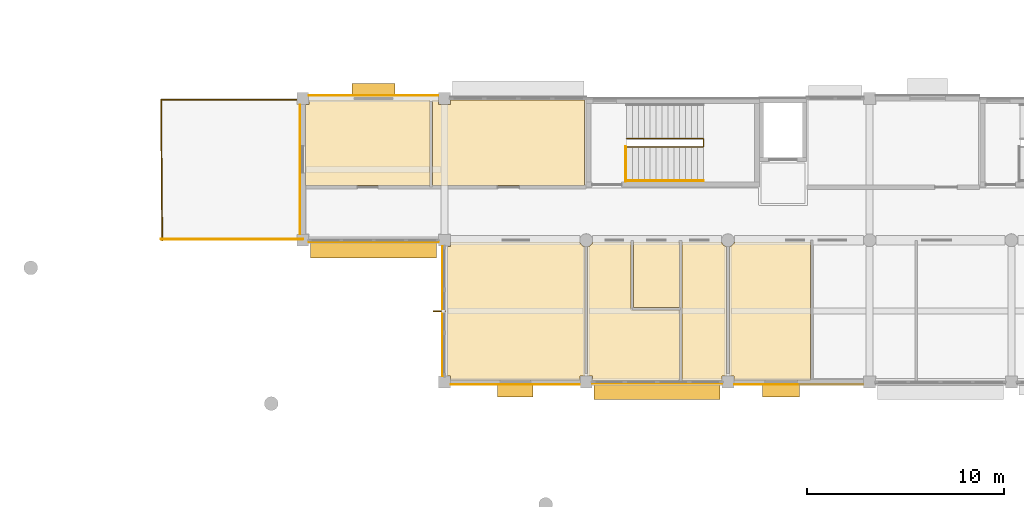
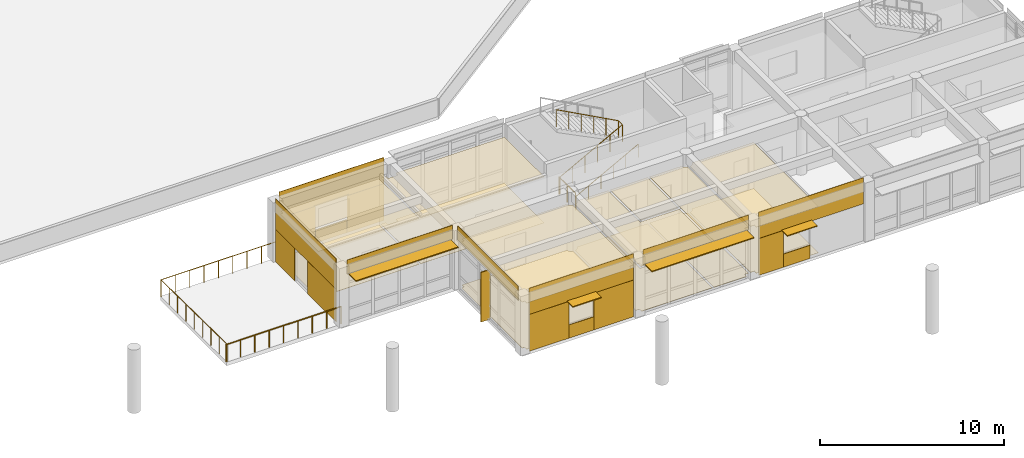
# One storey, part 37 of 55: 31 coverings, 6 shading devices, 5 railings.
"""IFC4 building model written with IfcOpenShell, lengths in metres."""

from ifc_helpers import new_model, si_unit, direction, frame, origin, origin_2d, place, context, subcontext, project, spatial, polyline, rectangle, circle, outline, extrude, material, layer, layer_set, type_object, element, save


model = new_model("IFC4")

# Units and contexts
model_context = context("Model", 3, precision=1e-05, world=origin(), true_north=direction((0.0, 1.0)))
body_context = subcontext(model_context, "Body", "Model", "MODEL_VIEW")
ifc_project = project(units=[si_unit("LENGTHUNIT", "METRE"), si_unit("AREAUNIT", "SQUARE_METRE"), si_unit("VOLUMEUNIT", "CUBIC_METRE"), si_unit("PLANEANGLEUNIT", "RADIAN"), si_unit("MASSUNIT", "GRAM", prefix="KILO")], contexts=[model_context])

# Site, building, storey
site_placement = place(None, origin())
site = spatial("IfcSite", under=ifc_project, at=site_placement, CompositionType="ELEMENT")
building_placement = place(site_placement, origin())
building = spatial("IfcBuilding", under=site, at=building_placement, Name="Namkhue Oval Health Centre", CompositionType="ELEMENT")
storey_placement = place(building_placement, frame((0.0, 0.0, 9.60009765625)))
storey = spatial("IfcBuildingStorey", under=building, at=storey_placement, Name="L02", CompositionType="ELEMENT", Elevation=9.60009765625)

# Coverings
ifc_material_1 = material(Name="Acoustic mineral-fibre cleanroom ceiling", Category="gypsum")
ifc_layer_1 = layer(ifc_material_1, 0.02001953125)
ifc_layer_set_1 = layer_set([ifc_layer_1], Name="Acoustic mineral-fibre cleanroom ceiling")
covering_type_1 = type_object("IfcCoveringType", Name="ACOUSTIC CLEANROOM CEILING 20", PredefinedType="CEILING", material=ifc_layer_set_1)
covering_1_placement = place(storey_placement, frame((0.0, 0.0, 3.0498046875)))
element("IfcCovering", 1, at=covering_1_placement, inside=storey, type_object=covering_type_1, Name="Acoustic Ceiling L02-401 Surgical Scrub Preparation", PredefinedType="CEILING", context=body_context, shape_type="SweptSolid", body=[
    extrude(outline(polyline([(50.7099609375, 14.485107421875), (50.7099609375, 14.7099609375), (50.554931640625, 14.7099609375), (50.554931640625, 21.2900390625), (50.7099609375, 21.2900390625), (50.7099609375, 21.52001953125), (57.275390625, 21.52001953125), (57.309814453125, 21.4326171875), (57.363037109375, 21.363037109375), (57.4326171875, 21.309814453125), (57.51318359375, 21.2763671875), (57.530029296875, 21.274169921875), (57.530029296875, 14.7099609375), (57.2900390625, 14.7099609375), (57.2900390625, 14.485107421875), (50.7099609375, 14.485107421875)])), origin(), (0.0, 0.0, 1.0), 0.02001953125),
])
covering_2_placement = place(storey_placement, frame((0.0, 0.0, 3.0498046875)))
element("IfcCovering", 2, at=covering_2_placement, inside=storey, type_object=covering_type_1, Name="Acoustic Ceiling L02-402 Sterile Theatre Pack Utility", PredefinedType="CEILING", context=body_context, shape_type="SweptSolid", body=[
    extrude(outline(polyline([(59.8798828125, 21.52001953125), (59.8798828125, 18.06005859375), (62.340087890625, 18.06005859375), (62.340087890625, 14.485107421875), (57.909912109375, 14.485107421875), (57.909912109375, 14.7099609375), (57.669921875, 14.7099609375), (57.669921875, 21.274169921875), (57.686767578125, 21.2763671875), (57.767578125, 21.309814453125), (57.8369140625, 21.363037109375), (57.89013671875, 21.4326171875), (57.924560546875, 21.52001953125), (59.8798828125, 21.52001953125)])), origin(), (0.0, 0.0, 1.0), 0.02001953125),
])
covering_3_placement = place(storey_placement, frame((0.0, 0.0, 3.0498046875)))
element("IfcCovering", 3, at=covering_3_placement, inside=storey, type_object=covering_type_1, Name="Acoustic Ceiling L02-403 Accessible WC", PredefinedType="CEILING", context=body_context, shape_type="SweptSolid", body=[
    extrude(outline(polyline([(60.0, 18.179931640625), (60.0, 21.52001953125), (62.340087890625, 21.52001953125), (62.340087890625, 18.179931640625), (60.0, 18.179931640625)])), origin(), (0.0, 0.0, 1.0), 0.02001953125),
])
covering_4_placement = place(storey_placement, frame((0.0, 0.0, 3.0498046875)))
element("IfcCovering", 4, at=covering_4_placement, inside=storey, type_object=covering_type_1, Name="Acoustic Ceiling L02-404 Surgical Staff Washroom", PredefinedType="CEILING", context=body_context, shape_type="SweptSolid", body=[
    extrude(outline(polyline([(62.4599609375, 14.485107421875), (62.4599609375, 21.52001953125), (64.4755859375, 21.52001953125), (64.510009765625, 21.4326171875), (64.56298828125, 21.363037109375), (64.632568359375, 21.309814453125), (64.71337890625, 21.2763671875), (64.72998046875, 21.274169921875), (64.72998046875, 14.7099609375), (64.489990234375, 14.7099609375), (64.489990234375, 14.485107421875), (62.4599609375, 14.485107421875)])), origin(), (0.0, 0.0, 1.0), 0.02001953125),
])
covering_5_placement = place(storey_placement, frame((0.0, 0.0, 3.0498046875)))
element("IfcCovering", 5, at=covering_5_placement, inside=storey, type_object=covering_type_1, Name="Acoustic Ceiling L02-405 Central Sterile Supply CSSD", PredefinedType="CEILING", context=body_context, shape_type="SweptSolid", body=[
    extrude(outline(polyline([(65.110107421875, 14.485107421875), (65.110107421875, 14.7099609375), (64.8701171875, 14.7099609375), (64.8701171875, 21.274169921875), (64.88671875, 21.2763671875), (64.967529296875, 21.309814453125), (65.036865234375, 21.363037109375), (65.090087890625, 21.4326171875), (65.12451171875, 21.52001953125), (68.9951171875, 21.52001953125), (68.9951171875, 14.485107421875), (65.110107421875, 14.485107421875)])), origin(), (0.0, 0.0, 1.0), 0.02001953125),
])
covering_6_placement = place(storey_placement, frame((0.0, 0.0, 3.0498046875)))
element("IfcCovering", 6, at=covering_6_placement, inside=storey, type_object=covering_type_1, Name="Acoustic Ceiling L02-409 South West Terrace Staff Lounge", PredefinedType="CEILING", context=body_context, shape_type="SweptSolid", body=[
    extrude(outline(polyline([(43.344970703125, 24.3798828125), (43.344970703125, 28.489990234375), (43.510009765625, 28.489990234375), (43.510009765625, 28.715087890625), (49.659912109375, 28.715087890625), (49.659912109375, 24.3798828125), (43.344970703125, 24.3798828125)])), origin(), (0.0, 0.0, 1.0), 0.02001953125),
])
covering_7_placement = place(storey_placement, frame((0.0, 0.0, 3.0498046875)))
element("IfcCovering", 7, at=covering_7_placement, inside=storey, type_object=covering_type_1, Name="Acoustic Ceiling L02-410 Pre Anaesthesia Assessment Clinic", PredefinedType="CEILING", context=body_context, shape_type="SweptSolid", body=[
    extrude(outline(polyline([(49.780029296875, 24.3798828125), (49.780029296875, 28.715087890625), (50.090087890625, 28.715087890625), (50.090087890625, 28.489990234375), (50.7099609375, 28.489990234375), (50.7099609375, 28.715087890625), (57.52001953125, 28.715087890625), (57.52001953125, 24.3798828125), (49.780029296875, 24.3798828125)])), origin(), (0.0, 0.0, 1.0), 0.02001953125),
])
ifc_material_2 = material(Name="Homogeneous anti-bacterial clinical vinyl flooring", Category="plastic")
ifc_layer_2 = layer(ifc_material_2, 0.014892578125)
ifc_layer_set_2 = layer_set([ifc_layer_2], Name="Homogeneous anti-bacterial clinical vinyl flooring")
covering_type_2 = type_object("IfcCoveringType", Name="CLINICAL ANTIBACTERIAL VINYL FLOORING 15", PredefinedType="FLOORING", material=ifc_layer_set_2)
covering_8_placement = place(storey_placement, origin())
element("IfcCovering", 8, at=covering_8_placement, inside=storey, type_object=covering_type_2, Name="Clinical Flooring L02-401 Surgical Scrub Preparation", PredefinedType="FLOORING", context=body_context, shape_type="SweptSolid", body=[
    extrude(outline(polyline([(50.7099609375, 14.485107421875), (50.7099609375, 14.7099609375), (50.554931640625, 14.7099609375), (50.554931640625, 21.2900390625), (50.7099609375, 21.2900390625), (50.7099609375, 21.52001953125), (57.275390625, 21.52001953125), (57.309814453125, 21.4326171875), (57.363037109375, 21.363037109375), (57.4326171875, 21.309814453125), (57.51318359375, 21.2763671875), (57.530029296875, 21.274169921875), (57.530029296875, 14.7099609375), (57.2900390625, 14.7099609375), (57.2900390625, 14.485107421875), (50.7099609375, 14.485107421875)])), origin(), (0.0, 0.0, 1.0), 0.014892578125),
])
covering_9_placement = place(storey_placement, origin())
element("IfcCovering", 9, at=covering_9_placement, inside=storey, type_object=covering_type_2, Name="Clinical Flooring L02-402 Sterile Theatre Pack Utility", PredefinedType="FLOORING", context=body_context, shape_type="SweptSolid", body=[
    extrude(outline(polyline([(59.8798828125, 21.52001953125), (59.8798828125, 18.06005859375), (62.340087890625, 18.06005859375), (62.340087890625, 14.485107421875), (57.909912109375, 14.485107421875), (57.909912109375, 14.7099609375), (57.669921875, 14.7099609375), (57.669921875, 21.274169921875), (57.686767578125, 21.2763671875), (57.767578125, 21.309814453125), (57.8369140625, 21.363037109375), (57.89013671875, 21.4326171875), (57.924560546875, 21.52001953125), (59.8798828125, 21.52001953125)])), origin(), (0.0, 0.0, 1.0), 0.014892578125),
])
covering_10_placement = place(storey_placement, origin())
element("IfcCovering", 10, at=covering_10_placement, inside=storey, type_object=covering_type_2, Name="Clinical Flooring L02-403 Accessible WC", PredefinedType="FLOORING", context=body_context, shape_type="SweptSolid", body=[
    extrude(outline(polyline([(60.0, 18.179931640625), (60.0, 21.52001953125), (62.340087890625, 21.52001953125), (62.340087890625, 18.179931640625), (60.0, 18.179931640625)])), origin(), (0.0, 0.0, 1.0), 0.014892578125),
])
covering_11_placement = place(storey_placement, origin())
element("IfcCovering", 11, at=covering_11_placement, inside=storey, type_object=covering_type_2, Name="Clinical Flooring L02-404 Surgical Staff Washroom", PredefinedType="FLOORING", context=body_context, shape_type="SweptSolid", body=[
    extrude(outline(polyline([(62.4599609375, 14.485107421875), (62.4599609375, 21.52001953125), (64.4755859375, 21.52001953125), (64.510009765625, 21.4326171875), (64.56298828125, 21.363037109375), (64.632568359375, 21.309814453125), (64.71337890625, 21.2763671875), (64.72998046875, 21.274169921875), (64.72998046875, 14.7099609375), (64.489990234375, 14.7099609375), (64.489990234375, 14.485107421875), (62.4599609375, 14.485107421875)])), origin(), (0.0, 0.0, 1.0), 0.014892578125),
])
covering_12_placement = place(storey_placement, origin())
element("IfcCovering", 12, at=covering_12_placement, inside=storey, type_object=covering_type_2, Name="Clinical Flooring L02-405 Central Sterile Supply CSSD", PredefinedType="FLOORING", context=body_context, shape_type="SweptSolid", body=[
    extrude(outline(polyline([(65.110107421875, 14.485107421875), (65.110107421875, 14.7099609375), (64.8701171875, 14.7099609375), (64.8701171875, 21.274169921875), (64.88671875, 21.2763671875), (64.967529296875, 21.309814453125), (65.036865234375, 21.363037109375), (65.090087890625, 21.4326171875), (65.12451171875, 21.52001953125), (68.9951171875, 21.52001953125), (68.9951171875, 14.485107421875), (65.110107421875, 14.485107421875)])), origin(), (0.0, 0.0, 1.0), 0.014892578125),
])
covering_13_placement = place(storey_placement, origin())
element("IfcCovering", 13, at=covering_13_placement, inside=storey, type_object=covering_type_2, Name="Clinical Flooring L02-409 South West Terrace Staff Lounge", PredefinedType="FLOORING", context=body_context, shape_type="SweptSolid", body=[
    extrude(outline(polyline([(43.344970703125, 24.3798828125), (43.344970703125, 28.489990234375), (43.510009765625, 28.489990234375), (43.510009765625, 28.715087890625), (49.659912109375, 28.715087890625), (49.659912109375, 24.3798828125), (43.344970703125, 24.3798828125)])), origin(), (0.0, 0.0, 1.0), 0.014892578125),
])
covering_14_placement = place(storey_placement, origin())
element("IfcCovering", 14, at=covering_14_placement, inside=storey, type_object=covering_type_2, Name="Clinical Flooring L02-410 Pre Anaesthesia Assessment Clinic", PredefinedType="FLOORING", context=body_context, shape_type="SweptSolid", body=[
    extrude(outline(polyline([(49.780029296875, 24.3798828125), (49.780029296875, 28.715087890625), (50.090087890625, 28.715087890625), (50.090087890625, 28.489990234375), (50.7099609375, 28.489990234375), (50.7099609375, 28.715087890625), (57.52001953125, 28.715087890625), (57.52001953125, 24.3798828125), (49.780029296875, 24.3798828125)])), origin(), (0.0, 0.0, 1.0), 0.014892578125),
])

# Railings
ifc_material_3 = material(Name="Brushed stainless steel 316L balustrade with laminated glass infill", Category="steel")
railing_type_1 = type_object("IfcRailingType", Name="EXTERIOR BALUSTRADE GUARD 1150", PredefinedType="BALUSTRADE", material=ifc_material_3)
railing_1_placement = place(storey_placement, frame((36.0, 21.659912109375, 0.0)))
element("IfcRailing", 15, at=railing_1_placement, inside=storey, type_object=railing_type_1, Name="Volume V4 L02 Terrace Balustrade Guard 1", PredefinedType="BALUSTRADE", context=body_context, shape_type="SweptSolid", body=[
    extrude(circle(Radius=0.02392578125, at=origin_2d()), frame((0.0, 0.0, 1.1259765625), z_axis=(1.0, 0.0, 0.0), x_axis=(0.0, 1.0, 0.0)), (0.0, 0.0, 1.0), 7.199951171875),
    extrude(circle(Radius=0.02099609375, at=origin_2d()), origin(), (0.0, 0.0, 1.0), 1.101806640625),
    extrude(circle(Radius=0.02099609375, at=origin_2d()), frame((0.89990234375, 0.0, 0.0)), (0.0, 0.0, 1.0), 1.101806640625),
    extrude(circle(Radius=0.02099609375, at=origin_2d()), frame((1.800048828125, 0.0, 0.0)), (0.0, 0.0, 1.0), 1.101806640625),
    extrude(circle(Radius=0.02099609375, at=origin_2d()), frame((2.699951171875, 0.0, 0.0)), (0.0, 0.0, 1.0), 1.101806640625),
    extrude(circle(Radius=0.02099609375, at=origin_2d()), frame((3.60009765625, 0.0, 0.0)), (0.0, 0.0, 1.0), 1.101806640625),
    extrude(circle(Radius=0.02099609375, at=origin_2d()), frame((4.5, 0.0, 0.0)), (0.0, 0.0, 1.0), 1.101806640625),
    extrude(circle(Radius=0.02099609375, at=origin_2d()), frame((5.39990234375, 0.0, 0.0)), (0.0, 0.0, 1.0), 1.101806640625),
    extrude(circle(Radius=0.02099609375, at=origin_2d()), frame((6.300048828125, 0.0, 0.0)), (0.0, 0.0, 1.0), 1.101806640625),
    extrude(circle(Radius=0.02099609375, at=origin_2d()), frame((7.199951171875, 0.0, 0.0)), (0.0, 0.0, 1.0), 1.101806640625),
])
railing_2_placement = place(storey_placement, frame((43.199951171875, 28.739990234375, 0.0)))
element("IfcRailing", 16, at=railing_2_placement, inside=storey, type_object=railing_type_1, Name="Volume V4 L02 Terrace Balustrade Guard 2", PredefinedType="BALUSTRADE", context=body_context, shape_type="SweptSolid", body=[
    extrude(circle(Radius=0.02392578125, at=origin_2d()), frame((0.0, 0.0, 1.1259765625), z_axis=(-1.0, 0.0, 0.0), x_axis=(0.0, -1.0, 0.0)), (0.0, 0.0, 1.0), 7.199951171875),
    extrude(circle(Radius=0.02392578125, at=origin_2d()), frame((-7.199951171875, 0.0, 1.1259765625), z_axis=(0.008411396731, -0.999964623577, 0.0), x_axis=(0.999964623577, 0.008411396731, 0.0)), (0.0, 0.0, 1.0), 7.14013671875),
    extrude(circle(Radius=0.02099609375, at=origin_2d()), origin(), (0.0, 0.0, 1.0), 1.101806640625),
    extrude(circle(Radius=0.02099609375, at=origin_2d()), frame((-0.89990234375, 0.0, 0.0)), (0.0, 0.0, 1.0), 1.101806640625),
    extrude(circle(Radius=0.02099609375, at=origin_2d()), frame((-1.800048828125, 0.0, 0.0)), (0.0, 0.0, 1.0), 1.101806640625),
    extrude(circle(Radius=0.02099609375, at=origin_2d()), frame((-2.699951171875, 0.0, 0.0)), (0.0, 0.0, 1.0), 1.101806640625),
    extrude(circle(Radius=0.02099609375, at=origin_2d()), frame((-3.60009765625, 0.0, 0.0)), (0.0, 0.0, 1.0), 1.101806640625),
    extrude(circle(Radius=0.02099609375, at=origin_2d()), frame((-4.5, 0.0, 0.0)), (0.0, 0.0, 1.0), 1.101806640625),
    extrude(circle(Radius=0.02099609375, at=origin_2d()), frame((-5.39990234375, 0.0, 0.0)), (0.0, 0.0, 1.0), 1.101806640625),
    extrude(circle(Radius=0.02099609375, at=origin_2d()), frame((-6.300048828125, 0.0, 0.0)), (0.0, 0.0, 1.0), 1.101806640625),
    extrude(circle(Radius=0.02099609375, at=origin_2d()), frame((-7.199951171875, 0.0, 0.0)), (0.0, 0.0, 1.0), 1.101806640625),
    extrude(circle(Radius=0.02099609375, at=origin_2d()), frame((-7.1923828125, -0.892578125, 0.0)), (0.0, 0.0, 1.0), 1.101806640625),
    extrude(circle(Radius=0.02099609375, at=origin_2d()), frame((-7.18505859375, -1.784912109375, 0.0)), (0.0, 0.0, 1.0), 1.101806640625),
    extrude(circle(Radius=0.02099609375, at=origin_2d()), frame((-7.177490234375, -2.677490234375, 0.0)), (0.0, 0.0, 1.0), 1.101806640625),
    extrude(circle(Radius=0.02099609375, at=origin_2d()), frame((-7.169921875, -3.56982421875, 0.0)), (0.0, 0.0, 1.0), 1.101806640625),
    extrude(circle(Radius=0.02099609375, at=origin_2d()), frame((-7.162353515625, -4.46240234375, 0.0)), (0.0, 0.0, 1.0), 1.101806640625),
    extrude(circle(Radius=0.02099609375, at=origin_2d()), frame((-7.15478515625, -5.35498046875, 0.0)), (0.0, 0.0, 1.0), 1.101806640625),
    extrude(circle(Radius=0.02099609375, at=origin_2d()), frame((-7.1474609375, -6.247314453125, 0.0)), (0.0, 0.0, 1.0), 1.101806640625),
    extrude(circle(Radius=0.02099609375, at=origin_2d()), frame((-7.139892578125, -7.139892578125, 0.0)), (0.0, 0.0, 1.0), 1.101806640625),
])
railing_type_2 = type_object("IfcRailingType", Name="INTERIOR BALUSTRADE GUARD 1150", PredefinedType="BALUSTRADE", material=ifc_material_3)
railing_3_placement = place(storey_placement, frame((59.60009765625, 24.590087890625, 0.0)))
element("IfcRailing", 17, at=railing_3_placement, inside=storey, type_object=railing_type_2, Name="Stair ST-07 L02 Landing Well Edge Guard", PredefinedType="BALUSTRADE", context=body_context, shape_type="SweptSolid", body=[
    extrude(circle(Radius=0.02392578125, at=origin_2d()), frame((0.0, 0.0, 1.1259765625), z_axis=(0.0, 1.0, 0.0), x_axis=(-1.0, 0.0, 0.0)), (0.0, 0.0, 1.0), 1.77001953125),
    extrude(circle(Radius=0.02099609375, at=origin_2d()), origin(), (0.0, 0.0, 1.0), 1.101806640625),
    extrude(circle(Radius=0.02099609375, at=origin_2d()), frame((0.0, 0.885009765625, 0.0)), (0.0, 0.0, 1.0), 1.101806640625),
    extrude(circle(Radius=0.02099609375, at=origin_2d()), frame((0.0, 1.77001953125, 0.0)), (0.0, 0.0, 1.0), 1.101806640625),
])
railing_4_placement = place(storey_placement, frame((59.64990234375, 26.340087890625, 0.0)))
element("IfcRailing", 18, at=railing_4_placement, inside=storey, type_object=railing_type_2, Name="Stair ST-07 L02 Inner Well Guard", PredefinedType="BALUSTRADE", context=body_context, shape_type="SweptSolid", body=[
    extrude(circle(Radius=0.02392578125, at=origin_2d()), frame((0.0, 0.0, 1.1259765625), z_axis=(0.88049233674, 0.0, 0.474060381114), x_axis=(0.0, 1.0, 0.0)), (0.0, 0.0, 1.0), 4.429443359375),
    extrude(circle(Radius=0.02392578125, at=origin_2d()), frame((3.900146484375, 0.0, 3.2255859375), z_axis=(0.0, 1.0, 0.0), x_axis=(-1.0, 0.0, 0.0)), (0.0, 0.0, 1.0), 0.419921875),
    extrude(circle(Radius=0.02392578125, at=origin_2d()), frame((3.900146484375, 0.419921875, 3.2255859375), z_axis=(-0.880469330154, 0.0, 0.474103109733), x_axis=(0.0, -1.0, 0.0)), (0.0, 0.0, 1.0), 4.4296875),
    extrude(circle(Radius=0.02099609375, at=origin_2d()), origin(), (0.0, 0.0, 1.0), 1.101806640625),
    extrude(circle(Radius=0.02099609375, at=origin_2d()), frame((0.780029296875, 0.0, 0.419921875)), (0.0, 0.0, 1.0), 1.101806640625),
    extrude(circle(Radius=0.02099609375, at=origin_2d()), frame((1.56005859375, 0.0, 0.83984375)), (0.0, 0.0, 1.0), 1.101806640625),
    extrude(circle(Radius=0.02099609375, at=origin_2d()), frame((2.340087890625, 0.0, 1.260009765625)), (0.0, 0.0, 1.0), 1.101806640625),
    extrude(circle(Radius=0.02099609375, at=origin_2d()), frame((3.1201171875, 0.0, 1.679931640625)), (0.0, 0.0, 1.0), 1.101806640625),
    extrude(circle(Radius=0.02099609375, at=origin_2d()), frame((3.900146484375, 0.0, 2.099853515625)), (0.0, 0.0, 1.0), 1.101806640625),
    extrude(circle(Radius=0.02099609375, at=origin_2d()), frame((3.900146484375, 0.419921875, 2.099853515625)), (0.0, 0.0, 1.0), 1.101806640625),
    extrude(circle(Radius=0.02099609375, at=origin_2d()), frame((3.1201171875, 0.419921875, 2.519775390625)), (0.0, 0.0, 1.0), 1.101806640625),
    extrude(circle(Radius=0.02099609375, at=origin_2d()), frame((2.340087890625, 0.419921875, 2.93994140625)), (0.0, 0.0, 1.0), 1.101806640625),
    extrude(circle(Radius=0.02099609375, at=origin_2d()), frame((1.56005859375, 0.419921875, 3.35986328125)), (0.0, 0.0, 1.0), 1.101806640625),
    extrude(circle(Radius=0.02099609375, at=origin_2d()), frame((0.780029296875, 0.419921875, 3.780029296875)), (0.0, 0.0, 1.0), 1.101806640625),
    extrude(circle(Radius=0.02099609375, at=origin_2d()), frame((0.0, 0.419921875, 4.199951171875)), (0.0, 0.0, 1.0), 1.101806640625),
])
ifc_material_4 = material(Name="Brushed stainless steel 304 tubular handrail", Category="steel")
railing_type_3 = type_object("IfcRailingType", Name="INTERIOR STAIR HANDRAIL 900", PredefinedType="HANDRAIL", material=ifc_material_4)
railing_5_placement = place(storey_placement, frame((59.64990234375, 24.6201171875, 0.0)))
element("IfcRailing", 19, at=railing_5_placement, inside=storey, type_object=railing_type_3, Name="Stair ST-07 L02 Flight 1 Handrail", PredefinedType="HANDRAIL", context=body_context, shape_type="SweptSolid", body=[
    extrude(circle(Radius=0.02392578125, at=origin_2d()), frame((0.0, 0.0, 0.8759765625), z_axis=(0.88049233674, 0.0, 0.474060381114), x_axis=(0.0, 1.0, 0.0)), (0.0, 0.0, 1.0), 4.429443359375),
    extrude(circle(Radius=0.02099609375, at=origin_2d()), origin(), (0.0, 0.0, 1.0), 0.851806640625),
    extrude(circle(Radius=0.02099609375, at=origin_2d()), frame((0.780029296875, 0.0, 0.419921875)), (0.0, 0.0, 1.0), 0.851806640625),
    extrude(circle(Radius=0.02099609375, at=origin_2d()), frame((1.56005859375, 0.0, 0.83984375)), (0.0, 0.0, 1.0), 0.851806640625),
    extrude(circle(Radius=0.02099609375, at=origin_2d()), frame((2.340087890625, 0.0, 1.260009765625)), (0.0, 0.0, 1.0), 0.851806640625),
    extrude(circle(Radius=0.02099609375, at=origin_2d()), frame((3.1201171875, 0.0, 1.679931640625)), (0.0, 0.0, 1.0), 0.851806640625),
    extrude(circle(Radius=0.02099609375, at=origin_2d()), frame((3.900146484375, 0.0, 2.099853515625)), (0.0, 0.0, 1.0), 0.851806640625),
])

# Shading devices
ifc_material_5 = material(Name="Anodised aluminium EN AW-6063 T6", Category="aluminium")
ifc_layer_3 = layer(ifc_material_5, 0.06005859375)
ifc_layer_set_3 = layer_set([ifc_layer_3], Name="Anodised aluminium EN AW-6063 T6")
shading_device_type_1 = type_object("IfcShadingDeviceType", Name="MONSOON SUN LOUVRE 900", PredefinedType="JALOUSIE", material=ifc_layer_set_3)
for number, where, z_axis, x_axis, name in (
    (20, (61.199951171875, 13.949951171875, 3.179931640625), (0.0, 0.0, 1.0), (1.0, 0.0, 0.0), "Volume V4 L02 Horizontal Monsoon Sun Louvre 216"),
    (21, (46.800048828125, 21.14990234375, 3.221923828125), (0.0, 0.0, 1.0), (1.0, 0.0, 0.0), "Volume V4 L02 Horizontal Monsoon Sun Louvre 226"),
):
    element("IfcShadingDevice", number, at=place(storey_placement, frame(where, z_axis=z_axis, x_axis=x_axis)), inside=storey, type_object=shading_device_type_1, Name=name, PredefinedType="JALOUSIE", context=body_context, shape_type="SweptSolid", body=[
        extrude(rectangle(XDim=6.407958984375, YDim=0.89990234375, at=origin_2d()), origin(), (0.0, 0.0, 1.0), 0.06005859375),
    ])
ifc_layer_4 = layer(ifc_material_5, 0.050048828125)
ifc_layer_set_4 = layer_set([ifc_layer_4], Name="Anodised aluminium EN AW-6063 T6")
shading_device_type_2 = type_object("IfcShadingDeviceType", Name="STORM SHUTTER LOUVRE 650", PredefinedType="SHUTTER", material=ifc_layer_set_4)
shading_device_1_placement = place(storey_placement, frame((54.0, 13.965087890625, 2.4599609375), z_axis=(0.0, 0.0, 1.0), x_axis=(1.0, 0.0, 0.0)))
element("IfcShadingDevice", 22, at=shading_device_1_placement, inside=storey, type_object=shading_device_type_2, Name="Volume V4 L02 Window Monsoon Louvre 215", PredefinedType="SHUTTER", context=body_context, shape_type="SweptSolid", body=[
    extrude(rectangle(XDim=1.7900390625, YDim=0.64990234375, at=origin_2d()), origin(), (0.0, 0.0, 1.0), 0.06005859375),
])
shading_device_2_placement = place(storey_placement, frame((67.5, 13.9599609375, 2.4599609375), z_axis=(0.0, 0.0, 1.0), x_axis=(1.0, 0.0, 0.0)))
element("IfcShadingDevice", 23, at=shading_device_2_placement, inside=storey, type_object=shading_device_type_2, Name="Volume V4 L02 Window Monsoon Louvre 217", PredefinedType="SHUTTER", context=body_context, shape_type="SweptSolid", body=[
    extrude(rectangle(XDim=1.889892578125, YDim=0.64990234375, at=origin_2d()), origin(), (0.0, 0.0, 1.0), 0.06005859375),
])
shading_device_3_placement = place(storey_placement, frame((46.800048828125, 29.25, 2.4599609375), z_axis=(0.0, 0.0, 1.0), x_axis=(-1.0, 0.0, 0.0)))
element("IfcShadingDevice", 24, at=shading_device_3_placement, inside=storey, type_object=shading_device_type_2, Name="Volume V4 L02 Window Monsoon Louvre 225", PredefinedType="SHUTTER", context=body_context, shape_type="SweptSolid", body=[
    extrude(rectangle(XDim=2.18994140625, YDim=0.64990234375, at=origin_2d()), origin(), (0.0, 0.0, 1.0), 0.06005859375),
])
shading_device_type_3 = type_object("IfcShadingDeviceType", Name="VERTICAL SOLAR FIN 600", PredefinedType="USERDEFINED", material=ifc_material_5)
shading_device_4_placement = place(storey_placement, frame((50.139892578125, 18.0, 0.0), z_axis=(0.0, 0.0, 1.0), x_axis=(-1.0, 0.0, 0.0)))
element("IfcShadingDevice", 25, at=shading_device_4_placement, inside=storey, type_object=shading_device_type_3, Name="Volume V4 L02 Extruded Aluminium Solar Fin 227", ObjectType="SOLAR FIN", PredefinedType="USERDEFINED", context=body_context, shape_type="SweptSolid", body=[
    extrude(rectangle(XDim=0.60009765625, YDim=0.06005859375, at=origin_2d()), origin(), (0.0, 0.0, 1.0), 3.2919921875),
])

# Coverings
ifc_material_6 = material(Name="White glass-fibre reinforced concrete GRC rainscreen cladding", Category="concrete")
ifc_layer_5 = layer(ifc_material_6, 0.02490234375)
ifc_layer_set_5 = layer_set([ifc_layer_5], Name="White glass-fibre reinforced concrete GRC rainscreen cladding")
covering_type_3 = type_object("IfcCoveringType", Name="WHITE GRC RAINSCREEN CLADDING 25", PredefinedType="CLADDING", material=ifc_layer_set_5)
covering_15_placement = place(storey_placement, frame((54.0, 14.26806640625, 2.455078125), z_axis=(0.0, 0.0, 1.0), x_axis=(1.0, 0.0, 0.0)))
element("IfcCovering", 26, at=covering_15_placement, inside=storey, type_object=covering_type_3, Name="Volume V4 L02 Facade 103 White GRC Cladding 1", PredefinedType="CLADDING", context=body_context, shape_type="SweptSolid", body=[
    extrude(rectangle(XDim=6.568115234375, YDim=0.02490234375, at=origin_2d()), origin(), (0.0, 0.0, 1.0), 1.735107421875),
])
covering_16_placement = place(storey_placement, frame((51.962890625, 14.26806640625, 0.010009765625), z_axis=(0.0, 0.0, 1.0), x_axis=(1.0, 0.0, 0.0)))
element("IfcCovering", 27, at=covering_16_placement, inside=storey, type_object=covering_type_3, Name="Volume V4 L02 Facade 103 White GRC Cladding 2", PredefinedType="CLADDING", context=body_context, shape_type="SweptSolid", body=[
    extrude(rectangle(XDim=2.493896484375, YDim=0.02490234375, at=origin_2d()), origin(), (0.0, 0.0, 1.0), 2.43994140625),
])
covering_17_placement = place(storey_placement, frame((54.0, 14.26806640625, 0.010009765625), z_axis=(0.0, 0.0, 1.0), x_axis=(1.0, 0.0, 0.0)))
element("IfcCovering", 28, at=covering_17_placement, inside=storey, type_object=covering_type_3, Name="Volume V4 L02 Facade 103 White GRC Cladding 3", PredefinedType="CLADDING", context=body_context, shape_type="SweptSolid", body=[
    extrude(rectangle(XDim=1.570068359375, YDim=0.02490234375, at=origin_2d()), origin(), (0.0, 0.0, 1.0), 0.875),
])
covering_18_placement = place(storey_placement, frame((56.037109375, 14.26806640625, 0.010009765625), z_axis=(0.0, 0.0, 1.0), x_axis=(1.0, 0.0, 0.0)))
element("IfcCovering", 29, at=covering_18_placement, inside=storey, type_object=covering_type_3, Name="Volume V4 L02 Facade 103 White GRC Cladding 4", PredefinedType="CLADDING", context=body_context, shape_type="SweptSolid", body=[
    extrude(rectangle(XDim=2.493896484375, YDim=0.02490234375, at=origin_2d()), origin(), (0.0, 0.0, 1.0), 2.43994140625),
])
covering_19_placement = place(storey_placement, frame((61.199951171875, 14.3115234375, 3.23486328125), z_axis=(0.0, 0.0, 1.0), x_axis=(1.0, 0.0, 0.0)))
element("IfcCovering", 30, at=covering_19_placement, inside=storey, type_object=covering_type_3, Name="Volume V4 L02 Curtain Wall Spandrel Cladding 160", PredefinedType="CLADDING", context=body_context, shape_type="SweptSolid", body=[
    extrude(rectangle(XDim=6.597900390625, YDim=0.02490234375, at=origin_2d()), origin(), (0.0, 0.0, 1.0), 0.965087890625),
])
covering_20_placement = place(storey_placement, frame((68.39990234375, 14.262939453125, 2.455078125), z_axis=(0.0, 0.0, 1.0), x_axis=(1.0, 0.0, 0.0)))
element("IfcCovering", 31, at=covering_20_placement, inside=storey, type_object=covering_type_3, Name="Volume V4 L02 Facade 104 White GRC Cladding 1", PredefinedType="CLADDING", context=body_context, shape_type="SweptSolid", body=[
    extrude(rectangle(XDim=6.568115234375, YDim=0.02490234375, at=origin_2d()), origin(), (0.0, 0.0, 1.0), 1.735107421875),
])
covering_21_placement = place(storey_placement, frame((65.887939453125, 14.262939453125, 0.010009765625), z_axis=(0.0, 0.0, 1.0), x_axis=(1.0, 0.0, 0.0)))
element("IfcCovering", 32, at=covering_21_placement, inside=storey, type_object=covering_type_3, Name="Volume V4 L02 Facade 104 White GRC Cladding 2", PredefinedType="CLADDING", context=body_context, shape_type="SweptSolid", body=[
    extrude(rectangle(XDim=1.5439453125, YDim=0.02490234375, at=origin_2d()), origin(), (0.0, 0.0, 1.0), 2.43994140625),
])
covering_22_placement = place(storey_placement, frame((67.5, 14.262939453125, 0.010009765625), z_axis=(0.0, 0.0, 1.0), x_axis=(1.0, 0.0, 0.0)))
element("IfcCovering", 33, at=covering_22_placement, inside=storey, type_object=covering_type_3, Name="Volume V4 L02 Facade 104 White GRC Cladding 3", PredefinedType="CLADDING", context=body_context, shape_type="SweptSolid", body=[
    extrude(rectangle(XDim=1.669921875, YDim=0.02490234375, at=origin_2d()), origin(), (0.0, 0.0, 1.0), 0.875),
])
covering_23_placement = place(storey_placement, frame((46.800048828125, 28.947021484375, 2.455078125), z_axis=(0.0, 0.0, 1.0), x_axis=(-1.0, 0.0, 0.0)))
element("IfcCovering", 34, at=covering_23_placement, inside=storey, type_object=covering_type_3, Name="Volume V4 L02 Facade 106 White GRC Cladding 1", PredefinedType="CLADDING", context=body_context, shape_type="SweptSolid", body=[
    extrude(rectangle(XDim=6.568115234375, YDim=0.02490234375, at=origin_2d()), origin(), (0.0, 0.0, 1.0), 1.735107421875),
])
covering_24_placement = place(storey_placement, frame((48.93701171875, 28.947021484375, 0.010009765625), z_axis=(0.0, 0.0, 1.0), x_axis=(-1.0, 0.0, 0.0)))
element("IfcCovering", 35, at=covering_24_placement, inside=storey, type_object=covering_type_3, Name="Volume V4 L02 Facade 106 White GRC Cladding 2", PredefinedType="CLADDING", context=body_context, shape_type="SweptSolid", body=[
    extrude(rectangle(XDim=2.2939453125, YDim=0.02490234375, at=origin_2d()), origin(), (0.0, 0.0, 1.0), 2.43994140625),
])
covering_25_placement = place(storey_placement, frame((46.800048828125, 28.947021484375, 0.010009765625), z_axis=(0.0, 0.0, 1.0), x_axis=(-1.0, 0.0, 0.0)))
element("IfcCovering", 36, at=covering_25_placement, inside=storey, type_object=covering_type_3, Name="Volume V4 L02 Facade 106 White GRC Cladding 3", PredefinedType="CLADDING", context=body_context, shape_type="SweptSolid", body=[
    extrude(rectangle(XDim=1.969970703125, YDim=0.02490234375, at=origin_2d()), origin(), (0.0, 0.0, 1.0), 0.875),
])
covering_26_placement = place(storey_placement, frame((44.6630859375, 28.947021484375, 0.010009765625), z_axis=(0.0, 0.0, 1.0), x_axis=(-1.0, 0.0, 0.0)))
element("IfcCovering", 37, at=covering_26_placement, inside=storey, type_object=covering_type_3, Name="Volume V4 L02 Facade 106 White GRC Cladding 4", PredefinedType="CLADDING", context=body_context, shape_type="SweptSolid", body=[
    extrude(rectangle(XDim=2.2939453125, YDim=0.02490234375, at=origin_2d()), origin(), (0.0, 0.0, 1.0), 2.43994140625),
])
covering_27_placement = place(storey_placement, frame((43.048095703125, 25.199951171875, 2.1748046875), z_axis=(0.0, 0.0, 1.0), x_axis=(0.0, -1.0, 0.0)))
element("IfcCovering", 38, at=covering_27_placement, inside=storey, type_object=covering_type_3, Name="Volume V4 L02 Facade 107 White GRC Cladding 1", PredefinedType="CLADDING", context=body_context, shape_type="SweptSolid", body=[
    extrude(rectangle(XDim=6.568115234375, YDim=0.02490234375, at=origin_2d()), origin(), (0.0, 0.0, 1.0), 2.014892578125),
])
covering_28_placement = place(storey_placement, frame((43.048095703125, 27.439453125, 0.009765625), z_axis=(0.0, 0.0, 1.0), x_axis=(0.0, -1.0, 0.0)))
element("IfcCovering", 39, at=covering_28_placement, inside=storey, type_object=covering_type_3, Name="Volume V4 L02 Facade 107 White GRC Cladding 2", PredefinedType="CLADDING", context=body_context, shape_type="SweptSolid", body=[
    extrude(rectangle(XDim=2.089111328125, YDim=0.02490234375, at=origin_2d()), origin(), (0.0, 0.0, 1.0), 2.159912109375),
])
covering_29_placement = place(storey_placement, frame((43.048095703125, 23.46044921875, 0.009765625), z_axis=(0.0, 0.0, 1.0), x_axis=(0.0, -1.0, 0.0)))
element("IfcCovering", 40, at=covering_29_placement, inside=storey, type_object=covering_type_3, Name="Volume V4 L02 Facade 107 White GRC Cladding 3", PredefinedType="CLADDING", context=body_context, shape_type="SweptSolid", body=[
    extrude(rectangle(XDim=3.089111328125, YDim=0.02490234375, at=origin_2d()), origin(), (0.0, 0.0, 1.0), 2.159912109375),
])
for number, where, z_axis, x_axis, name in (
    (41, (46.800048828125, 21.511474609375, 3.27685546875), (0.0, 0.0, 1.0), (1.0, 0.0, 0.0), "Volume V4 L02 Curtain Wall Spandrel Cladding 167"),
    (42, (50.3115234375, 18.0, 3.27685546875), (0.0, 0.0, 1.0), (0.0, -1.0, 0.0), "Volume V4 L02 Curtain Wall Spandrel Cladding 168"),
):
    element("IfcCovering", number, at=place(storey_placement, frame(where, z_axis=z_axis, x_axis=x_axis)), inside=storey, type_object=covering_type_3, Name=name, PredefinedType="CLADDING", context=body_context, shape_type="SweptSolid", body=[
        extrude(rectangle(XDim=6.597900390625, YDim=0.02490234375, at=origin_2d()), origin(), (0.0, 0.0, 1.0), 0.923095703125),
    ])

save(model, "model.ifc")
